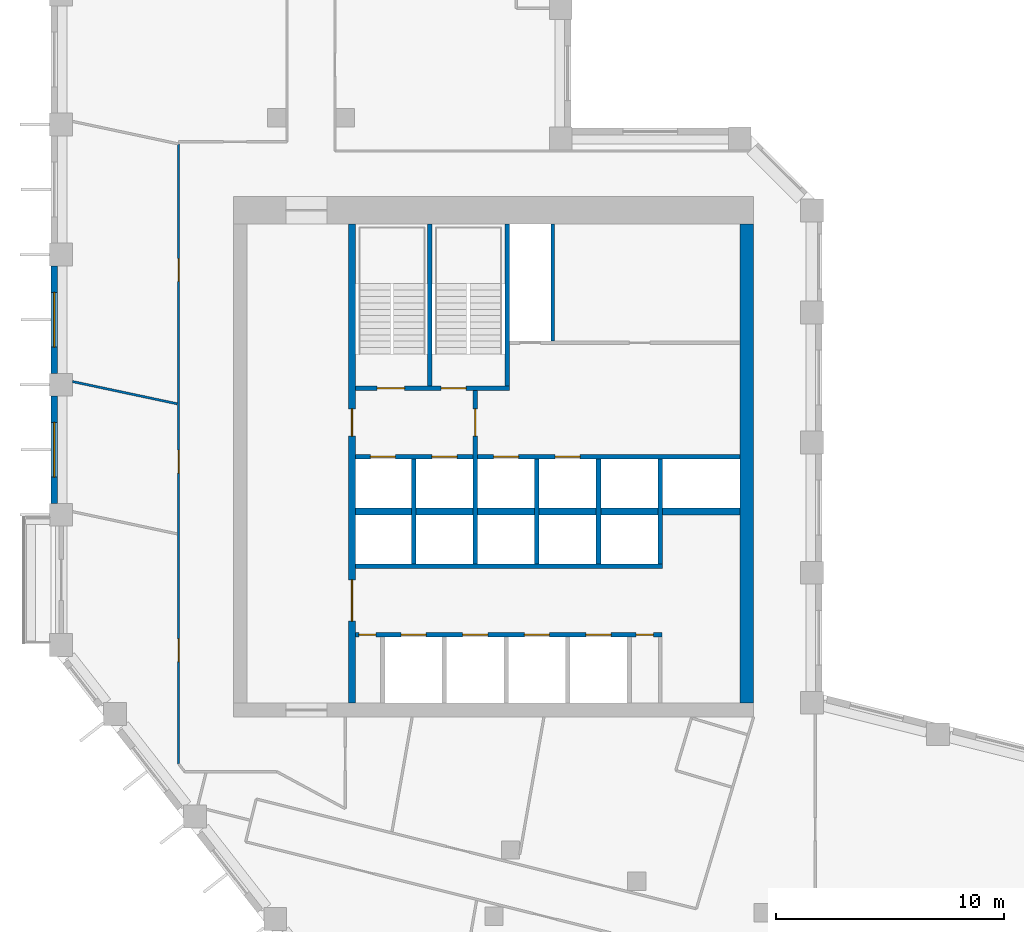
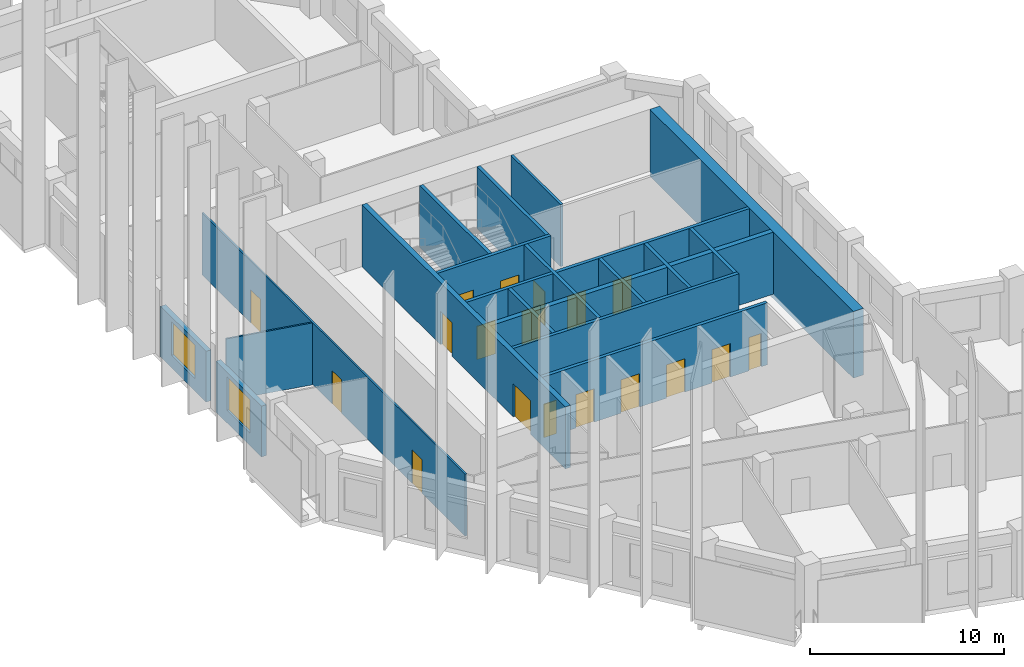
# One storey, part 5 of 9: 19 walls, 18 doors, 2 windows, 20 openings.
"""IFC4 building model written with IfcOpenShell, lengths in metres."""

from ifc_helpers import new_model, si_unit, direction, frame, frame_2d, origin, place, context, subcontext, project, spatial, rectangle, extrude, material, layer, layer_set, type_object, element, fill, save


model = new_model("IFC4")

# Units and contexts
model_context = context("Model", 3, precision=1e-05, world=origin(), true_north=direction((0.0, 1.0)))
body_context = subcontext(model_context, "Body", "Model", "MODEL_VIEW")
ifc_project = project(units=[si_unit("LENGTHUNIT", "METRE"), si_unit("AREAUNIT", "SQUARE_METRE"), si_unit("VOLUMEUNIT", "CUBIC_METRE"), si_unit("PLANEANGLEUNIT", "RADIAN"), si_unit("MASSUNIT", "GRAM", prefix="KILO")], contexts=[model_context])

# Site, building, storey
site_placement = place(None, origin())
site = spatial("IfcSite", under=ifc_project, at=site_placement, CompositionType="ELEMENT")
building_placement = place(site_placement, origin())
building = spatial("IfcBuilding", under=site, at=building_placement, Name="Meshkara Civic Tower", CompositionType="ELEMENT")
storey_placement = place(building_placement, frame((0.0, 0.0, 289.800048828125)))
storey = spatial("IfcBuildingStorey", under=building, at=storey_placement, Name="L66", CompositionType="ELEMENT", Elevation=289.800048828125)

# Walls
ifc_material_1 = material(Name="Blockwork", Category="masonry")
ifc_layer_1 = layer(ifc_material_1, 0.14990234375)
ifc_layer_set_1 = layer_set([ifc_layer_1], Name="Core partition 150")
wall_type_1 = type_object("IfcWallType", Name="Core partition 150", PredefinedType="PARTITIONING", material=ifc_layer_set_1)
wall_1_placement = place(storey_placement, frame((22.0, 30.574951171875, 0.0), z_axis=(0.0, 0.0, 1.0), x_axis=(0.0, 1.0, 0.0)))
element("IfcWall", 1, at=wall_1_placement, inside=storey, type_object=wall_type_1, Name="L66-C020", PredefinedType="PARTITIONING", context=body_context, shape_type="SweptSolid", body=[
    extrude(rectangle(XDim=5.125, YDim=0.14990234375, at=frame_2d((2.5625, 0.0))), origin(), (0.0, 0.0, 1.0), 3.89990234375),
])
ifc_material_2 = material(Name="Concrete C60", Category="concrete")
ifc_layer_2 = layer(ifc_material_2, 0.60009765625)
ifc_layer_set_2 = layer_set([ifc_layer_2], Name="Core ring wall 600 C60")
wall_type_2 = type_object("IfcWallType", Name="Core ring wall 600 C60", PredefinedType="SHEAR", material=ifc_layer_set_2)
wall_2_placement = place(storey_placement, frame((30.5, 14.699951171875, -0.300048828125), z_axis=(0.0, 0.0, 1.0), x_axis=(0.0, 1.0, 0.0)))
element("IfcWall", 2, at=wall_2_placement, inside=storey, type_object=wall_type_2, Name="L66-C004", PredefinedType="SHEAR", context=body_context, shape_type="SweptSolid", body=[
    extrude(rectangle(XDim=21.0, YDim=0.60009765625, at=frame_2d((10.5, 0.0))), origin(), (0.0, 0.0, 1.0), 4.199951171875),
])
ifc_material_3 = material(Name="Concrete C60", Category="concrete")
ifc_layer_3 = layer(ifc_material_3, 0.300048828125)
ifc_layer_set_3 = layer_set([ifc_layer_3], Name="Core shear wall 300 C60")
wall_type_3 = type_object("IfcWallType", Name="Core shear wall 300 C60", PredefinedType="SHEAR", material=ifc_layer_set_3)
wall_3_placement = place(storey_placement, frame((13.35009765625, 23.10009765625, 0.0), z_axis=(0.0, 0.0, 1.0), x_axis=(1.0, 0.0, 0.0)))
element("IfcWall", 3, at=wall_3_placement, inside=storey, type_object=wall_type_3, Name="L66-C007", PredefinedType="SHEAR", context=body_context, shape_type="SweptSolid", body=[
    extrude(rectangle(XDim=16.849853515625, YDim=0.300048828125, at=frame_2d((8.4248046875, 0.0))), origin(), (0.0, 0.0, 1.0), 3.89990234375),
])

# Wall, openings, doors
wall_4_placement = place(storey_placement, frame((13.199951171875, 14.699951171875, 0.0), z_axis=(0.0, 0.0, 1.0), x_axis=(0.0, 1.0, 0.0)))
wall_4 = element("IfcWall", 4, at=wall_4_placement, inside=storey, type_object=wall_type_3, Name="L66-C011", PredefinedType="SHEAR", context=body_context, shape_type="SweptSolid", body=[
    extrude(rectangle(XDim=21.0, YDim=0.300048828125, at=frame_2d((10.5, 0.0))), origin(), (0.0, 0.0, 1.0), 3.89990234375),
])
opening_1_placement = place(wall_4_placement, frame((3.60009765625, 0.0, 0.0)))
opening_1 = element("IfcOpeningElement", 5, at=opening_1_placement, cuts=wall_4, Name="Opening L66-K015", PredefinedType="OPENING", context=body_context, shape_type="SweptSolid", body=[
    extrude(rectangle(XDim=1.800048828125, YDim=2.10009765625, at=frame_2d((0.89990234375, 1.050048828125))), frame((0.0, 0.159912109375, 0.0), z_axis=(0.0, -1.0, 0.0), x_axis=(1.0, 0.0, 0.0)), (0.0, 0.0, 1.0), 0.320068359375),
])
opening_2_placement = place(wall_4_placement, frame((11.699951171875, 0.0, 0.0)))
opening_2 = element("IfcOpeningElement", 6, at=opening_2_placement, cuts=wall_4, Name="Opening L66-K016", PredefinedType="OPENING", context=body_context, shape_type="SweptSolid", body=[
    extrude(rectangle(XDim=1.199951171875, YDim=2.10009765625, at=frame_2d((0.60009765625, 1.050048828125))), frame((0.0, 0.159912109375, 0.0), z_axis=(0.0, -1.0, 0.0), x_axis=(1.0, 0.0, 0.0)), (0.0, 0.0, 1.0), 0.320068359375),
])
ifc_material_4 = material(Name="Fire-rated door leaf in steel frame", Category="steel")
door_type_1 = type_object("IfcDoorType", Name="Core double door 1800 EI 60", OperationType="DOUBLE_DOOR_SINGLE_SWING", PredefinedType="DOOR", material=ifc_material_4)
door_1_placement = place(opening_1_placement, origin())
door_1 = element("IfcDoor", 7, at=door_1_placement, inside=storey, type_object=door_type_1, Name="L66-K015", OperationType="DOUBLE_DOOR_SINGLE_SWING", OverallHeight=2.10009765625, OverallWidth=1.800048828125, PredefinedType="DOOR", context=body_context, shape_type="SweptSolid", body=[
    extrude(rectangle(XDim=1.800048828125, YDim=2.10009765625, at=frame_2d((0.89990234375, 1.050048828125))), frame((0.0, 0.02490234375, 0.0), z_axis=(0.0, -1.0, 0.0), x_axis=(1.0, 0.0, 0.0)), (0.0, 0.0, 1.0), 0.050048828125),
])
fill(opening_1, door_1)
ifc_material_5 = material(Name="Fire-rated door leaf in steel frame", Category="steel")
door_type_2 = type_object("IfcDoorType", Name="Fire-fighting lobby door 1200 EI 120", OperationType="SINGLE_SWING_LEFT", PredefinedType="DOOR", material=ifc_material_5)
door_2_placement = place(opening_2_placement, origin())
door_2 = element("IfcDoor", 8, at=door_2_placement, inside=storey, type_object=door_type_2, Name="L66-K016", OperationType="SINGLE_SWING_LEFT", OverallHeight=2.10009765625, OverallWidth=1.199951171875, PredefinedType="DOOR", context=body_context, shape_type="SweptSolid", body=[
    extrude(rectangle(XDim=1.199951171875, YDim=2.10009765625, at=frame_2d((0.60009765625, 1.050048828125))), frame((0.0, 0.02490234375, 0.0), z_axis=(0.0, -1.0, 0.0), x_axis=(1.0, 0.0, 0.0)), (0.0, 0.0, 1.0), 0.050048828125),
])
fill(opening_2, door_2)

ifc_material_6 = material(Name="Corridor wall 100")
ifc_layer_4 = layer(ifc_material_6, 0.10009765625)
ifc_layer_set_4 = layer_set([ifc_layer_4], Name="Corridor wall 100")
wall_type_4 = type_object("IfcWallType", Name="Corridor wall 100", PredefinedType="PARTITIONING", material=ifc_layer_set_4)
wall_5_placement = place(storey_placement, frame((5.60009765625, 12.04296875, 0.0), z_axis=(0.0, 0.0, 1.0), x_axis=(0.0, 1.0, 0.0)))
wall_5 = element("IfcWall", 9, at=wall_5_placement, inside=storey, type_object=wall_type_4, Name="L66-W003", PredefinedType="PARTITIONING", context=body_context, shape_type="SweptSolid", body=[
    extrude(rectangle(XDim=27.162109375, YDim=0.10009765625, at=frame_2d((13.5810546875, 0.0))), origin(), (0.0, 0.0, 1.0), 3.89990234375),
])
opening_3_placement = place(wall_5_placement, frame((4.47998046875, 0.0, 0.0)))
opening_3 = element("IfcOpeningElement", 10, at=opening_3_placement, cuts=wall_5, Name="Opening L66-D013", PredefinedType="OPENING", context=body_context, shape_type="SweptSolid", body=[
    extrude(rectangle(XDim=1.0, YDim=2.10009765625, at=frame_2d((0.5, 1.050048828125))), frame((0.0, 0.06005859375, 0.0), z_axis=(0.0, -1.0, 0.0), x_axis=(1.0, 0.0, 0.0)), (0.0, 0.0, 1.0), 0.1201171875),
])
opening_4_placement = place(wall_5_placement, frame((12.741943359375, 0.0, 0.0)))
opening_4 = element("IfcOpeningElement", 11, at=opening_4_placement, cuts=wall_5, Name="Opening L66-D016", PredefinedType="OPENING", context=body_context, shape_type="SweptSolid", body=[
    extrude(rectangle(XDim=1.0, YDim=2.10009765625, at=frame_2d((0.5, 1.050048828125))), frame((0.0, 0.06005859375, 0.0), z_axis=(0.0, -1.0, 0.0), x_axis=(1.0, 0.0, 0.0)), (0.0, 0.0, 1.0), 0.1201171875),
])
opening_5_placement = place(wall_5_placement, frame((21.14208984375, 0.0, 0.0)))
opening_5 = element("IfcOpeningElement", 12, at=opening_5_placement, cuts=wall_5, Name="Opening L66-D017", PredefinedType="OPENING", context=body_context, shape_type="SweptSolid", body=[
    extrude(rectangle(XDim=1.0, YDim=2.10009765625, at=frame_2d((0.5, 1.050048828125))), frame((0.0, 0.06005859375, 0.0), z_axis=(0.0, -1.0, 0.0), x_axis=(1.0, 0.0, 0.0)), (0.0, 0.0, 1.0), 0.1201171875),
])
ifc_material_7 = material(Name="Door 1000 x 2100")
door_type_3 = type_object("IfcDoorType", Name="Door 1000 x 2100", OperationType="SINGLE_SWING_LEFT", PredefinedType="DOOR", material=ifc_material_7)
door_3_placement = place(opening_3_placement, origin())
door_3 = element("IfcDoor", 13, at=door_3_placement, inside=storey, type_object=door_type_3, Name="L66-D013", OperationType="SINGLE_SWING_LEFT", OverallHeight=2.10009765625, OverallWidth=1.0, PredefinedType="DOOR", context=body_context, shape_type="SweptSolid", body=[
    extrude(rectangle(XDim=1.0, YDim=2.10009765625, at=frame_2d((0.5, 1.050048828125))), frame((0.0, 0.02490234375, 0.0), z_axis=(0.0, -1.0, 0.0), x_axis=(1.0, 0.0, 0.0)), (0.0, 0.0, 1.0), 0.050048828125),
])
fill(opening_3, door_3)
door_4_placement = place(opening_4_placement, origin())
door_4 = element("IfcDoor", 14, at=door_4_placement, inside=storey, type_object=door_type_3, Name="L66-D016", OperationType="SINGLE_SWING_RIGHT", OverallHeight=2.10009765625, OverallWidth=1.0, PredefinedType="DOOR", context=body_context, shape_type="SweptSolid", body=[
    extrude(rectangle(XDim=1.0, YDim=2.10009765625, at=frame_2d((0.5, 1.050048828125))), frame((0.0, 0.02490234375, 0.0), z_axis=(0.0, -1.0, 0.0), x_axis=(1.0, 0.0, 0.0)), (0.0, 0.0, 1.0), 0.050048828125),
])
fill(opening_4, door_4)
door_5_placement = place(opening_5_placement, origin())
door_5 = element("IfcDoor", 15, at=door_5_placement, inside=storey, type_object=door_type_3, Name="L66-D017", OperationType="SINGLE_SWING_RIGHT", OverallHeight=2.10009765625, OverallWidth=1.0, PredefinedType="DOOR", context=body_context, shape_type="SweptSolid", body=[
    extrude(rectangle(XDim=1.0, YDim=2.10009765625, at=frame_2d((0.5, 1.050048828125))), frame((0.0, 0.02490234375, 0.0), z_axis=(0.0, -1.0, 0.0), x_axis=(1.0, 0.0, 0.0)), (0.0, 0.0, 1.0), 0.050048828125),
])
fill(opening_5, door_5)

# Wall, opening, window
ifc_material_8 = material(Name="Insulated infill panel with bronze anodised aluminium cladding", Category="aluminium")
ifc_layer_5 = layer(ifc_material_8, 0.300048828125)
ifc_layer_set_5 = layer_set([ifc_layer_5], Name="EXTERNAL INFILL WALL 300")
wall_type_5 = type_object("IfcWallType", Name="EXTERNAL INFILL WALL 300", PredefinedType="SOLIDWALL", material=ifc_layer_set_5)
wall_6_placement = place(storey_placement, frame((0.14990234375, 33.85498046875, 0.0), z_axis=(0.0, 0.0, 1.0), x_axis=(0.0, -1.0, 0.0)))
wall_6 = element("IfcWall", 16, at=wall_6_placement, inside=storey, type_object=wall_type_5, Name="External wall", PredefinedType="SOLIDWALL", context=body_context, shape_type="SweptSolid", body=[
    extrude(rectangle(XDim=4.699951171875, YDim=0.300048828125, at=frame_2d((2.35009765625, 0.0))), origin(), (0.0, 0.0, 1.0), 3.199951171875),
])
opening_6_placement = place(wall_6_placement, frame((1.14990234375, 0.0, 0.800048828125)))
opening_6 = element("IfcOpeningElement", 17, at=opening_6_placement, cuts=wall_6, Name="Opening W7", PredefinedType="OPENING", context=body_context, shape_type="SweptSolid", body=[
    extrude(rectangle(XDim=2.39990234375, YDim=2.10009765625, at=frame_2d((1.199951171875, 1.050048828125))), frame((0.0, 0.159912109375, 0.0), z_axis=(0.0, -1.0, 0.0), x_axis=(1.0, 0.0, 0.0)), (0.0, 0.0, 1.0), 0.320068359375),
])
ifc_material_9 = material(Name="Tinted double glazing", Category="glass")
window_type = type_object("IfcWindowType", Name="WINDOW 2400x2100", PartitioningType="DOUBLE_PANEL_VERTICAL", PredefinedType="WINDOW", material=ifc_material_9)
window_1_placement = place(opening_6_placement, origin())
window_1 = element("IfcWindow", 18, at=window_1_placement, inside=storey, type_object=window_type, Name="Window", OverallHeight=2.10009765625, OverallWidth=2.39990234375, PartitioningType="DOUBLE_PANEL_VERTICAL", PredefinedType="WINDOW", context=body_context, shape_type="SweptSolid", body=[
    extrude(rectangle(XDim=2.39990234375, YDim=2.10009765625, at=frame_2d((1.199951171875, 1.050048828125))), frame((0.0, 0.030029296875, 0.0), z_axis=(0.0, -1.0, 0.0), x_axis=(1.0, 0.0, 0.0)), (0.0, 0.0, 1.0), 0.06005859375),
])
fill(opening_6, window_1)

wall_7_placement = place(storey_placement, frame((0.14990234375, 28.155029296875, 0.0), z_axis=(0.0, 0.0, 1.0), x_axis=(0.0, -1.0, 0.0)))
wall_7 = element("IfcWall", 19, at=wall_7_placement, inside=storey, type_object=wall_type_5, Name="External wall", PredefinedType="SOLIDWALL", context=body_context, shape_type="SweptSolid", body=[
    extrude(rectangle(XDim=4.699951171875, YDim=0.300048828125, at=frame_2d((2.35009765625, 0.0))), origin(), (0.0, 0.0, 1.0), 3.199951171875),
])
opening_7_placement = place(wall_7_placement, frame((1.14990234375, 0.0, 0.800048828125)))
opening_7 = element("IfcOpeningElement", 20, at=opening_7_placement, cuts=wall_7, Name="Opening W7", PredefinedType="OPENING", context=body_context, shape_type="SweptSolid", body=[
    extrude(rectangle(XDim=2.39990234375, YDim=2.10009765625, at=frame_2d((1.199951171875, 1.050048828125))), frame((0.0, 0.159912109375, 0.0), z_axis=(0.0, -1.0, 0.0), x_axis=(1.0, 0.0, 0.0)), (0.0, 0.0, 1.0), 0.320068359375),
])
window_2_placement = place(opening_7_placement, origin())
window_2 = element("IfcWindow", 21, at=window_2_placement, inside=storey, type_object=window_type, Name="Window", OverallHeight=2.10009765625, OverallWidth=2.39990234375, PartitioningType="DOUBLE_PANEL_VERTICAL", PredefinedType="WINDOW", context=body_context, shape_type="SweptSolid", body=[
    extrude(rectangle(XDim=2.39990234375, YDim=2.10009765625, at=frame_2d((1.199951171875, 1.050048828125))), frame((0.0, 0.030029296875, 0.0), z_axis=(0.0, -1.0, 0.0), x_axis=(1.0, 0.0, 0.0)), (0.0, 0.0, 1.0), 0.06005859375),
])
fill(opening_7, window_2)

# Wall
ifc_material_10 = material(Name="Partition 100")
ifc_layer_6 = layer(ifc_material_10, 0.10009765625)
ifc_layer_set_6 = layer_set([ifc_layer_6], Name="Partition 100")
wall_type_6 = type_object("IfcWallType", Name="Partition 100", PredefinedType="PARTITIONING", material=ifc_layer_set_6)
wall_8_placement = place(storey_placement, frame((5.5400390625, 27.818115234375, 0.0), z_axis=(0.0, 0.0, 1.0), x_axis=(-0.978139938949, 0.207947733417, 0.0)))
element("IfcWall", 22, at=wall_8_placement, inside=storey, type_object=wall_type_6, Name="L66-W037", PredefinedType="PARTITIONING", context=body_context, shape_type="SweptSolid", body=[
    extrude(rectangle(XDim=4.692626953125, YDim=0.10009765625, at=frame_2d((2.34619140625, 0.0))), origin(), (0.0, 0.0, 1.0), 3.89990234375),
])

# Wall, openings, doors
ifc_material_11 = material(Name="Concrete C40/50", Category="concrete")
ifc_layer_7 = layer(ifc_material_11, 0.199951171875)
ifc_layer_set_7 = layer_set([ifc_layer_7], Name="Shaft wall 200 C40/50")
wall_type_7 = type_object("IfcWallType", Name="Shaft wall 200 C40/50", PredefinedType="SOLIDWALL", material=ifc_layer_set_7)
wall_9_placement = place(storey_placement, frame((13.35009765625, 17.699951171875, 0.0), z_axis=(0.0, 0.0, 1.0), x_axis=(1.0, 0.0, 0.0)))
wall_9 = element("IfcWall", 23, at=wall_9_placement, inside=storey, type_object=wall_type_7, Name="L66-C005", PredefinedType="SOLIDWALL", context=body_context, shape_type="SweptSolid", body=[
    extrude(rectangle(XDim=13.4248046875, YDim=0.199951171875, at=frame_2d((6.71240234375, 0.0))), origin(), (0.0, 0.0, 1.0), 3.89990234375),
])
opening_8_placement = place(wall_9_placement, frame((2.0, 0.0, 0.0)))
opening_8 = element("IfcOpeningElement", 24, at=opening_8_placement, cuts=wall_9, Name="Opening L66-K001", PredefinedType="OPENING", context=body_context, shape_type="SweptSolid", body=[
    extrude(rectangle(XDim=1.10009765625, YDim=2.10009765625, at=frame_2d((0.550048828125, 1.050048828125))), frame((0.0, 0.10986328125, 0.0), z_axis=(0.0, -1.0, 0.0), x_axis=(1.0, 0.0, 0.0)), (0.0, 0.0, 1.0), 0.219970703125),
])
opening_9_placement = place(wall_9_placement, frame((4.699951171875, 0.0, 0.0)))
opening_9 = element("IfcOpeningElement", 25, at=opening_9_placement, cuts=wall_9, Name="Opening L66-K002", PredefinedType="OPENING", context=body_context, shape_type="SweptSolid", body=[
    extrude(rectangle(XDim=1.10009765625, YDim=2.10009765625, at=frame_2d((0.550048828125, 1.050048828125))), frame((0.0, 0.10986328125, 0.0), z_axis=(0.0, -1.0, 0.0), x_axis=(1.0, 0.0, 0.0)), (0.0, 0.0, 1.0), 0.219970703125),
])
opening_10_placement = place(wall_9_placement, frame((7.39990234375, 0.0, 0.0)))
opening_10 = element("IfcOpeningElement", 26, at=opening_10_placement, cuts=wall_9, Name="Opening L66-K003", PredefinedType="OPENING", context=body_context, shape_type="SweptSolid", body=[
    extrude(rectangle(XDim=1.10009765625, YDim=2.10009765625, at=frame_2d((0.550048828125, 1.050048828125))), frame((0.0, 0.10986328125, 0.0), z_axis=(0.0, -1.0, 0.0), x_axis=(1.0, 0.0, 0.0)), (0.0, 0.0, 1.0), 0.219970703125),
])
opening_11_placement = place(wall_9_placement, frame((10.10009765625, 0.0, 0.0)))
opening_11 = element("IfcOpeningElement", 27, at=opening_11_placement, cuts=wall_9, Name="Opening L66-K004", PredefinedType="OPENING", context=body_context, shape_type="SweptSolid", body=[
    extrude(rectangle(XDim=1.10009765625, YDim=2.10009765625, at=frame_2d((0.550048828125, 1.050048828125))), frame((0.0, 0.10986328125, 0.0), z_axis=(0.0, -1.0, 0.0), x_axis=(1.0, 0.0, 0.0)), (0.0, 0.0, 1.0), 0.219970703125),
])
opening_12_placement = place(wall_9_placement, frame((0.14990234375, 0.0, 0.0)))
opening_12 = element("IfcOpeningElement", 28, at=opening_12_placement, cuts=wall_9, Name="Opening L66-K009", PredefinedType="OPENING", context=body_context, shape_type="SweptSolid", body=[
    extrude(rectangle(XDim=0.75, YDim=2.10009765625, at=frame_2d((0.375, 1.050048828125))), frame((0.0, 0.10986328125, 0.0), z_axis=(0.0, -1.0, 0.0), x_axis=(1.0, 0.0, 0.0)), (0.0, 0.0, 1.0), 0.219970703125),
])
opening_13_placement = place(wall_9_placement, frame((12.300048828125, 0.0, 0.0)))
opening_13 = element("IfcOpeningElement", 29, at=opening_13_placement, cuts=wall_9, Name="Opening L66-K010", PredefinedType="OPENING", context=body_context, shape_type="SweptSolid", body=[
    extrude(rectangle(XDim=0.75, YDim=2.10009765625, at=frame_2d((0.375, 1.050048828125))), frame((0.0, 0.10986328125, 0.0), z_axis=(0.0, -1.0, 0.0), x_axis=(1.0, 0.0, 0.0)), (0.0, 0.0, 1.0), 0.219970703125),
])
ifc_material_12 = material(Name="Timber door leaf in steel frame", Category="steel")
door_type_4 = type_object("IfcDoorType", Name="Core room door 750", OperationType="SINGLE_SWING_LEFT", PredefinedType="DOOR", material=ifc_material_12)
door_6_placement = place(opening_12_placement, origin())
door_6 = element("IfcDoor", 30, at=door_6_placement, inside=storey, type_object=door_type_4, Name="L66-K009", OperationType="SINGLE_SWING_RIGHT", OverallHeight=2.10009765625, OverallWidth=0.75, PredefinedType="DOOR", context=body_context, shape_type="SweptSolid", body=[
    extrude(rectangle(XDim=0.75, YDim=2.10009765625, at=frame_2d((0.375, 1.050048828125))), frame((0.0, 0.02490234375, 0.0), z_axis=(0.0, -1.0, 0.0), x_axis=(1.0, 0.0, 0.0)), (0.0, 0.0, 1.0), 0.050048828125),
])
fill(opening_12, door_6)
door_7_placement = place(opening_13_placement, origin())
door_7 = element("IfcDoor", 31, at=door_7_placement, inside=storey, type_object=door_type_4, Name="L66-K010", OperationType="SINGLE_SWING_RIGHT", OverallHeight=2.10009765625, OverallWidth=0.75, PredefinedType="DOOR", context=body_context, shape_type="SweptSolid", body=[
    extrude(rectangle(XDim=0.75, YDim=2.10009765625, at=frame_2d((0.375, 1.050048828125))), frame((0.0, 0.02490234375, 0.0), z_axis=(0.0, -1.0, 0.0), x_axis=(1.0, 0.0, 0.0)), (0.0, 0.0, 1.0), 0.050048828125),
])
fill(opening_13, door_7)
ifc_material_13 = material(Name="Stainless steel landing door", Category="steel")
door_type_5 = type_object("IfcDoorType", Name="Lift landing door 1100", OperationType="SLIDING_TO_LEFT", PredefinedType="DOOR", material=ifc_material_13)
door_8_placement = place(opening_8_placement, origin())
door_8 = element("IfcDoor", 32, at=door_8_placement, inside=storey, type_object=door_type_5, Name="L66-K001", OperationType="SLIDING_TO_LEFT", OverallHeight=2.10009765625, OverallWidth=1.10009765625, PredefinedType="DOOR", context=body_context, shape_type="SweptSolid", body=[
    extrude(rectangle(XDim=1.10009765625, YDim=2.10009765625, at=frame_2d((0.550048828125, 1.050048828125))), frame((0.0, 0.02490234375, 0.0), z_axis=(0.0, -1.0, 0.0), x_axis=(1.0, 0.0, 0.0)), (0.0, 0.0, 1.0), 0.050048828125),
])
fill(opening_8, door_8)
door_9_placement = place(opening_9_placement, origin())
door_9 = element("IfcDoor", 33, at=door_9_placement, inside=storey, type_object=door_type_5, Name="L66-K002", OperationType="SLIDING_TO_LEFT", OverallHeight=2.10009765625, OverallWidth=1.10009765625, PredefinedType="DOOR", context=body_context, shape_type="SweptSolid", body=[
    extrude(rectangle(XDim=1.10009765625, YDim=2.10009765625, at=frame_2d((0.550048828125, 1.050048828125))), frame((0.0, 0.02490234375, 0.0), z_axis=(0.0, -1.0, 0.0), x_axis=(1.0, 0.0, 0.0)), (0.0, 0.0, 1.0), 0.050048828125),
])
fill(opening_9, door_9)
door_10_placement = place(opening_10_placement, origin())
door_10 = element("IfcDoor", 34, at=door_10_placement, inside=storey, type_object=door_type_5, Name="L66-K003", OperationType="SLIDING_TO_LEFT", OverallHeight=2.10009765625, OverallWidth=1.10009765625, PredefinedType="DOOR", context=body_context, shape_type="SweptSolid", body=[
    extrude(rectangle(XDim=1.10009765625, YDim=2.10009765625, at=frame_2d((0.550048828125, 1.050048828125))), frame((0.0, 0.02490234375, 0.0), z_axis=(0.0, -1.0, 0.0), x_axis=(1.0, 0.0, 0.0)), (0.0, 0.0, 1.0), 0.050048828125),
])
fill(opening_10, door_10)
door_11_placement = place(opening_11_placement, origin())
door_11 = element("IfcDoor", 35, at=door_11_placement, inside=storey, type_object=door_type_5, Name="L66-K004", OperationType="SLIDING_TO_LEFT", OverallHeight=2.10009765625, OverallWidth=1.10009765625, PredefinedType="DOOR", context=body_context, shape_type="SweptSolid", body=[
    extrude(rectangle(XDim=1.10009765625, YDim=2.10009765625, at=frame_2d((0.550048828125, 1.050048828125))), frame((0.0, 0.02490234375, 0.0), z_axis=(0.0, -1.0, 0.0), x_axis=(1.0, 0.0, 0.0)), (0.0, 0.0, 1.0), 0.050048828125),
])
fill(opening_11, door_11)

# Wall
wall_10_placement = place(storey_placement, frame((13.35009765625, 20.699951171875, 0.0), z_axis=(0.0, 0.0, 1.0), x_axis=(1.0, 0.0, 0.0)))
element("IfcWall", 36, at=wall_10_placement, inside=storey, type_object=wall_type_7, Name="L66-C006", PredefinedType="SOLIDWALL", context=body_context, shape_type="SweptSolid", body=[
    extrude(rectangle(XDim=13.449951171875, YDim=0.199951171875, at=frame_2d((6.72509765625, 0.0))), origin(), (0.0, 0.0, 1.0), 3.89990234375),
])

# Wall, openings, doors
wall_11_placement = place(storey_placement, frame((13.35009765625, 25.5, 0.0), z_axis=(0.0, 0.0, 1.0), x_axis=(1.0, 0.0, 0.0)))
wall_11 = element("IfcWall", 37, at=wall_11_placement, inside=storey, type_object=wall_type_7, Name="L66-C008", PredefinedType="SOLIDWALL", context=body_context, shape_type="SweptSolid", body=[
    extrude(rectangle(XDim=16.849853515625, YDim=0.199951171875, at=frame_2d((8.4248046875, 0.0))), origin(), (0.0, 0.0, 1.0), 3.89990234375),
])
opening_14_placement = place(wall_11_placement, frame((0.64990234375, 0.0, 0.0)))
opening_14 = element("IfcOpeningElement", 38, at=opening_14_placement, cuts=wall_11, Name="Opening L66-K005", PredefinedType="OPENING", context=body_context, shape_type="SweptSolid", body=[
    extrude(rectangle(XDim=1.10009765625, YDim=2.10009765625, at=frame_2d((0.550048828125, 1.050048828125))), frame((0.0, 0.10986328125, 0.0), z_axis=(0.0, -1.0, 0.0), x_axis=(1.0, 0.0, 0.0)), (0.0, 0.0, 1.0), 0.219970703125),
])
opening_15_placement = place(wall_11_placement, frame((3.35009765625, 0.0, 0.0)))
opening_15 = element("IfcOpeningElement", 39, at=opening_15_placement, cuts=wall_11, Name="Opening L66-K006", PredefinedType="OPENING", context=body_context, shape_type="SweptSolid", body=[
    extrude(rectangle(XDim=1.10009765625, YDim=2.10009765625, at=frame_2d((0.550048828125, 1.050048828125))), frame((0.0, 0.10986328125, 0.0), z_axis=(0.0, -1.0, 0.0), x_axis=(1.0, 0.0, 0.0)), (0.0, 0.0, 1.0), 0.219970703125),
])
opening_16_placement = place(wall_11_placement, frame((6.050048828125, 0.0, 0.0)))
opening_16 = element("IfcOpeningElement", 40, at=opening_16_placement, cuts=wall_11, Name="Opening L66-K007", PredefinedType="OPENING", context=body_context, shape_type="SweptSolid", body=[
    extrude(rectangle(XDim=1.10009765625, YDim=2.10009765625, at=frame_2d((0.550048828125, 1.050048828125))), frame((0.0, 0.10986328125, 0.0), z_axis=(0.0, -1.0, 0.0), x_axis=(1.0, 0.0, 0.0)), (0.0, 0.0, 1.0), 0.219970703125),
])
opening_17_placement = place(wall_11_placement, frame((8.75, 0.0, 0.0)))
opening_17 = element("IfcOpeningElement", 41, at=opening_17_placement, cuts=wall_11, Name="Opening L66-K008", PredefinedType="OPENING", context=body_context, shape_type="SweptSolid", body=[
    extrude(rectangle(XDim=1.10009765625, YDim=2.10009765625, at=frame_2d((0.550048828125, 1.050048828125))), frame((0.0, 0.10986328125, 0.0), z_axis=(0.0, -1.0, 0.0), x_axis=(1.0, 0.0, 0.0)), (0.0, 0.0, 1.0), 0.219970703125),
])
door_12_placement = place(opening_14_placement, origin())
door_12 = element("IfcDoor", 42, at=door_12_placement, inside=storey, type_object=door_type_5, Name="L66-K005", OperationType="SLIDING_TO_LEFT", OverallHeight=2.10009765625, OverallWidth=1.10009765625, PredefinedType="DOOR", context=body_context, shape_type="SweptSolid", body=[
    extrude(rectangle(XDim=1.10009765625, YDim=2.10009765625, at=frame_2d((0.550048828125, 1.050048828125))), frame((0.0, 0.02490234375, 0.0), z_axis=(0.0, -1.0, 0.0), x_axis=(1.0, 0.0, 0.0)), (0.0, 0.0, 1.0), 0.050048828125),
])
fill(opening_14, door_12)
door_13_placement = place(opening_15_placement, origin())
door_13 = element("IfcDoor", 43, at=door_13_placement, inside=storey, type_object=door_type_5, Name="L66-K006", OperationType="SLIDING_TO_LEFT", OverallHeight=2.10009765625, OverallWidth=1.10009765625, PredefinedType="DOOR", context=body_context, shape_type="SweptSolid", body=[
    extrude(rectangle(XDim=1.10009765625, YDim=2.10009765625, at=frame_2d((0.550048828125, 1.050048828125))), frame((0.0, 0.02490234375, 0.0), z_axis=(0.0, -1.0, 0.0), x_axis=(1.0, 0.0, 0.0)), (0.0, 0.0, 1.0), 0.050048828125),
])
fill(opening_15, door_13)
door_14_placement = place(opening_16_placement, origin())
door_14 = element("IfcDoor", 44, at=door_14_placement, inside=storey, type_object=door_type_5, Name="L66-K007", OperationType="SLIDING_TO_LEFT", OverallHeight=2.10009765625, OverallWidth=1.10009765625, PredefinedType="DOOR", context=body_context, shape_type="SweptSolid", body=[
    extrude(rectangle(XDim=1.10009765625, YDim=2.10009765625, at=frame_2d((0.550048828125, 1.050048828125))), frame((0.0, 0.02490234375, 0.0), z_axis=(0.0, -1.0, 0.0), x_axis=(1.0, 0.0, 0.0)), (0.0, 0.0, 1.0), 0.050048828125),
])
fill(opening_16, door_14)
door_15_placement = place(opening_17_placement, origin())
door_15 = element("IfcDoor", 45, at=door_15_placement, inside=storey, type_object=door_type_5, Name="L66-K008", OperationType="SLIDING_TO_LEFT", OverallHeight=2.10009765625, OverallWidth=1.10009765625, PredefinedType="DOOR", context=body_context, shape_type="SweptSolid", body=[
    extrude(rectangle(XDim=1.10009765625, YDim=2.10009765625, at=frame_2d((0.550048828125, 1.050048828125))), frame((0.0, 0.02490234375, 0.0), z_axis=(0.0, -1.0, 0.0), x_axis=(1.0, 0.0, 0.0)), (0.0, 0.0, 1.0), 0.050048828125),
])
fill(opening_17, door_15)

# Wall
wall_12_placement = place(storey_placement, frame((15.89990234375, 20.800048828125, 0.0), z_axis=(0.0, 0.0, 1.0), x_axis=(0.0, 1.0, 0.0)))
element("IfcWall", 46, at=wall_12_placement, inside=storey, type_object=wall_type_7, Name="L66-C013", PredefinedType="SOLIDWALL", context=body_context, shape_type="SweptSolid", body=[
    extrude(rectangle(XDim=4.599853515625, YDim=0.199951171875, at=frame_2d((2.2998046875, 0.0))), origin(), (0.0, 0.0, 1.0), 3.89990234375),
])

# Wall, opening, door
wall_13_placement = place(storey_placement, frame((18.60009765625, 20.800048828125, 0.0), z_axis=(0.0, 0.0, 1.0), x_axis=(0.0, 1.0, 0.0)))
wall_13 = element("IfcWall", 47, at=wall_13_placement, inside=storey, type_object=wall_type_7, Name="L66-C016", PredefinedType="SOLIDWALL", context=body_context, shape_type="SweptSolid", body=[
    extrude(rectangle(XDim=7.599853515625, YDim=0.199951171875, at=frame_2d((3.7998046875, 0.0))), origin(), (0.0, 0.0, 1.0), 3.89990234375),
])
opening_18_placement = place(wall_13_placement, frame((5.60009765625, 0.0, 0.0)))
opening_18 = element("IfcOpeningElement", 48, at=opening_18_placement, cuts=wall_13, Name="Opening L66-K017", PredefinedType="OPENING", context=body_context, shape_type="SweptSolid", body=[
    extrude(rectangle(XDim=1.199951171875, YDim=2.10009765625, at=frame_2d((0.60009765625, 1.050048828125))), frame((0.0, 0.10986328125, 0.0), z_axis=(0.0, -1.0, 0.0), x_axis=(1.0, 0.0, 0.0)), (0.0, 0.0, 1.0), 0.219970703125),
])
door_16_placement = place(opening_18_placement, origin())
door_16 = element("IfcDoor", 49, at=door_16_placement, inside=storey, type_object=door_type_2, Name="L66-K017", OperationType="SINGLE_SWING_RIGHT", OverallHeight=2.10009765625, OverallWidth=1.199951171875, PredefinedType="DOOR", context=body_context, shape_type="SweptSolid", body=[
    extrude(rectangle(XDim=1.199951171875, YDim=2.10009765625, at=frame_2d((0.60009765625, 1.050048828125))), frame((0.0, 0.02490234375, 0.0), z_axis=(0.0, -1.0, 0.0), x_axis=(1.0, 0.0, 0.0)), (0.0, 0.0, 1.0), 0.050048828125),
])
fill(opening_18, door_16)

# Walls
for number, where, z_axis, x_axis, name in (
    (50, (21.300048828125, 20.800048828125, 0.0), (0.0, 0.0, 1.0), (0.0, 1.0, 0.0), "L66-C019"),
    (51, (24.0, 20.800048828125, 0.0), (0.0, 0.0, 1.0), (0.0, 1.0, 0.0), "L66-C022"),
    (52, (26.699951171875, 20.800048828125, 0.0), (0.0, 0.0, 1.0), (0.0, 1.0, 0.0), "L66-C025"),
):
    element("IfcWall", number, at=place(storey_placement, frame(where, z_axis=z_axis, x_axis=x_axis)), inside=storey, type_object=wall_type_7, Name=name, PredefinedType="SOLIDWALL", context=body_context, shape_type="SweptSolid", body=[
        extrude(rectangle(XDim=4.599853515625, YDim=0.199951171875, at=frame_2d((2.2998046875, 0.0))), origin(), (0.0, 0.0, 1.0), 3.89990234375),
    ])

# Wall, openings, doors
ifc_material_14 = material(Name="Concrete C40/50", Category="concrete")
ifc_layer_8 = layer(ifc_material_14, 0.199951171875)
ifc_layer_set_8 = layer_set([ifc_layer_8], Name="Stair enclosure wall 200 C40/50")
wall_type_8 = type_object("IfcWallType", Name="Stair enclosure wall 200 C40/50", PredefinedType="SOLIDWALL", material=ifc_layer_set_8)
wall_14_placement = place(storey_placement, frame((13.35009765625, 28.5, 0.0), z_axis=(0.0, 0.0, 1.0), x_axis=(1.0, 0.0, 0.0)))
wall_14 = element("IfcWall", 53, at=wall_14_placement, inside=storey, type_object=wall_type_8, Name="L66-C009", PredefinedType="SOLIDWALL", context=body_context, shape_type="SweptSolid", body=[
    extrude(rectangle(XDim=6.75, YDim=0.199951171875, at=frame_2d((3.375, 0.0))), origin(), (0.0, 0.0, 1.0), 3.89990234375),
])
opening_19_placement = place(wall_14_placement, frame((0.949951171875, 0.0, 0.0)))
opening_19 = element("IfcOpeningElement", 54, at=opening_19_placement, cuts=wall_14, Name="Opening L66-K013", PredefinedType="OPENING", context=body_context, shape_type="SweptSolid", body=[
    extrude(rectangle(XDim=1.199951171875, YDim=2.10009765625, at=frame_2d((0.60009765625, 1.050048828125))), frame((0.0, 0.10986328125, 0.0), z_axis=(0.0, -1.0, 0.0), x_axis=(1.0, 0.0, 0.0)), (0.0, 0.0, 1.0), 0.219970703125),
])
opening_20_placement = place(wall_14_placement, frame((3.75, 0.0, 0.0)))
opening_20 = element("IfcOpeningElement", 55, at=opening_20_placement, cuts=wall_14, Name="Opening L66-K014", PredefinedType="OPENING", context=body_context, shape_type="SweptSolid", body=[
    extrude(rectangle(XDim=1.10009765625, YDim=2.10009765625, at=frame_2d((0.550048828125, 1.050048828125))), frame((0.0, 0.10986328125, 0.0), z_axis=(0.0, -1.0, 0.0), x_axis=(1.0, 0.0, 0.0)), (0.0, 0.0, 1.0), 0.219970703125),
])
ifc_material_15 = material(Name="Fire-rated door leaf in steel frame", Category="steel")
door_type_6 = type_object("IfcDoorType", Name="Stair door 1100 EI 120", OperationType="SINGLE_SWING_LEFT", PredefinedType="DOOR", material=ifc_material_15)
door_17_placement = place(opening_20_placement, origin())
door_17 = element("IfcDoor", 56, at=door_17_placement, inside=storey, type_object=door_type_6, Name="L66-K014", OperationType="SINGLE_SWING_LEFT", OverallHeight=2.10009765625, OverallWidth=1.10009765625, PredefinedType="DOOR", context=body_context, shape_type="SweptSolid", body=[
    extrude(rectangle(XDim=1.10009765625, YDim=2.10009765625, at=frame_2d((0.550048828125, 1.050048828125))), frame((0.0, 0.02490234375, 0.0), z_axis=(0.0, -1.0, 0.0), x_axis=(1.0, 0.0, 0.0)), (0.0, 0.0, 1.0), 0.050048828125),
])
fill(opening_20, door_17)
ifc_material_16 = material(Name="Fire-rated door leaf in steel frame", Category="steel")
door_type_7 = type_object("IfcDoorType", Name="Stair door 1200 EI 120", OperationType="SINGLE_SWING_LEFT", PredefinedType="DOOR", material=ifc_material_16)
door_18_placement = place(opening_19_placement, origin())
door_18 = element("IfcDoor", 57, at=door_18_placement, inside=storey, type_object=door_type_7, Name="L66-K013", OperationType="SINGLE_SWING_RIGHT", OverallHeight=2.10009765625, OverallWidth=1.199951171875, PredefinedType="DOOR", context=body_context, shape_type="SweptSolid", body=[
    extrude(rectangle(XDim=1.199951171875, YDim=2.10009765625, at=frame_2d((0.60009765625, 1.050048828125))), frame((0.0, 0.02490234375, 0.0), z_axis=(0.0, -1.0, 0.0), x_axis=(1.0, 0.0, 0.0)), (0.0, 0.0, 1.0), 0.050048828125),
])
fill(opening_19, door_18)

# Walls
for number, where, z_axis, x_axis, name in (
    (58, (16.60009765625, 28.60009765625, 0.0), (0.0, 0.0, 1.0), (0.0, 1.0, 0.0), "L66-C014"),
    (59, (20.0, 28.60009765625, 0.0), (0.0, 0.0, 1.0), (0.0, 1.0, 0.0), "L66-C018"),
):
    element("IfcWall", number, at=place(storey_placement, frame(where, z_axis=z_axis, x_axis=x_axis)), inside=storey, type_object=wall_type_8, Name=name, PredefinedType="SOLIDWALL", context=body_context, shape_type="SweptSolid", body=[
        extrude(rectangle(XDim=7.099853515625, YDim=0.199951171875, at=frame_2d((3.5498046875, 0.0))), origin(), (0.0, 0.0, 1.0), 3.89990234375),
    ])

save(model, "model.ifc")
